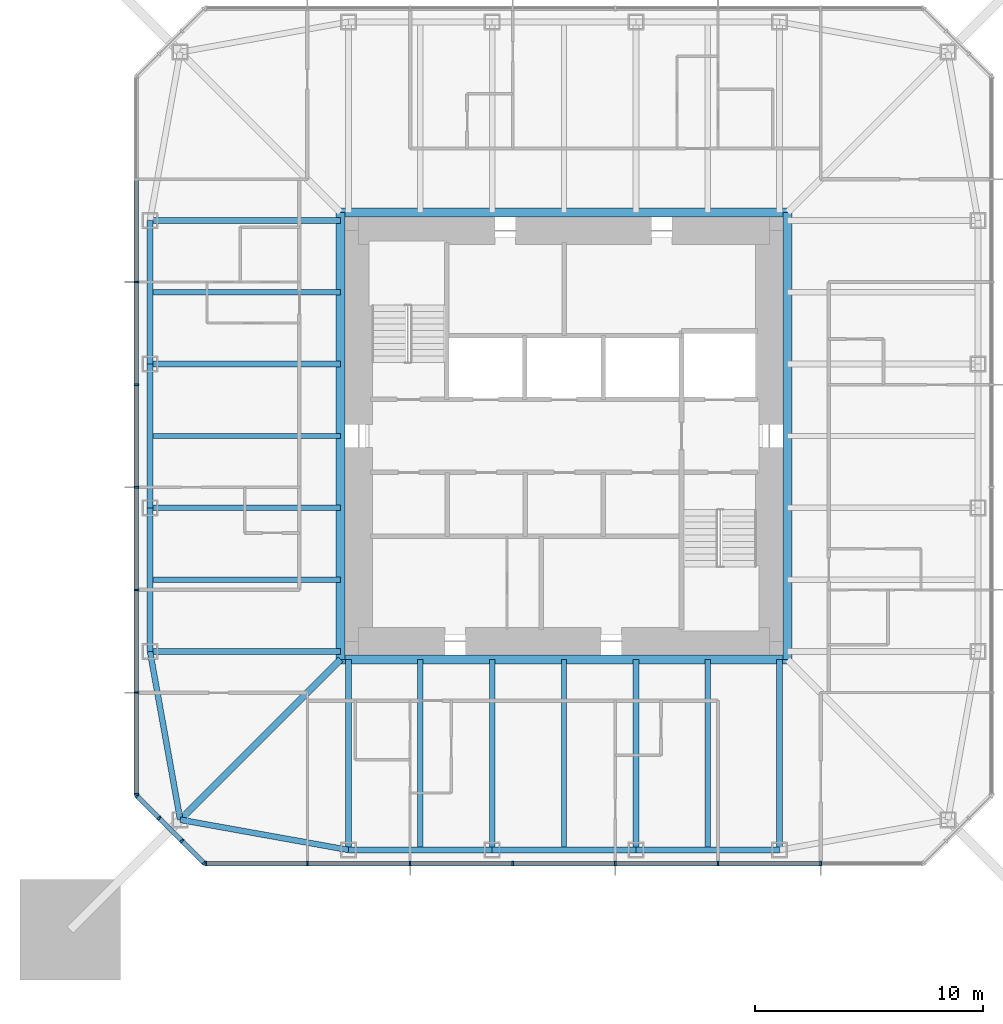
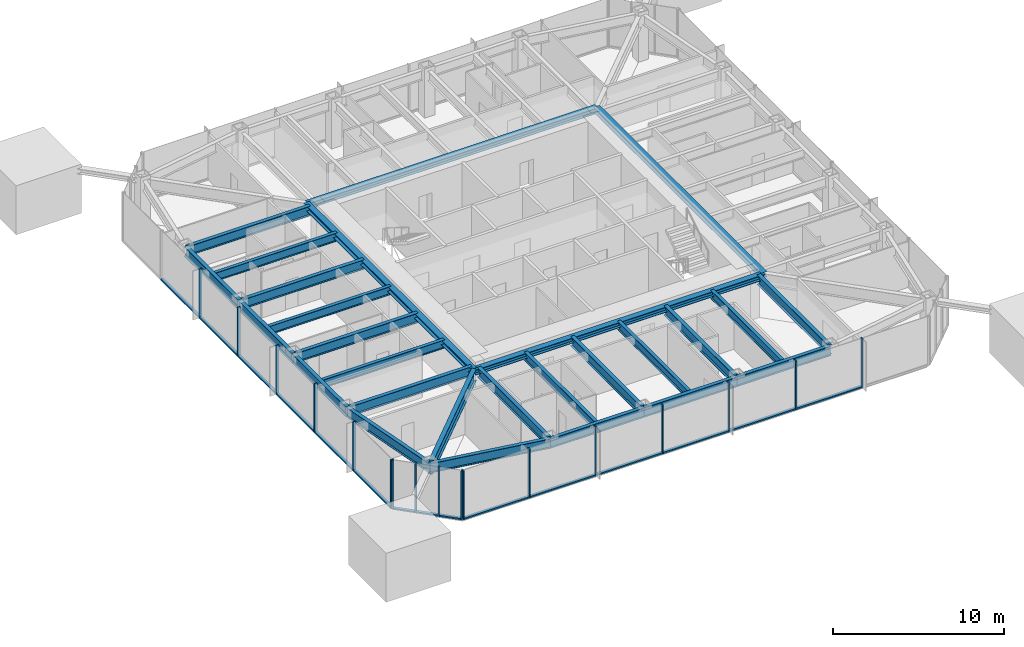
# One storey, part 2 of 11: 32 members, 27 beams, 3 elements without a shape of their own.
"""IFC4 building model written with IfcOpenShell, lengths in metres."""

from ifc_helpers import new_model, si_unit, direction, frame, origin, origin_2d, place, context, subcontext, project, spatial, rectangle, i_section, extrude, material, material_profile, profile_set, type_object, element, aggregate, save


model = new_model("IFC4")

# Units and contexts
model_context = context("Model", 3, precision=1e-05, world=origin(), true_north=direction((0.0, 1.0)))
body_context = subcontext(model_context, "Body", "Model", "MODEL_VIEW")
ifc_project = project(units=[si_unit("LENGTHUNIT", "METRE"), si_unit("AREAUNIT", "SQUARE_METRE"), si_unit("VOLUMEUNIT", "CUBIC_METRE"), si_unit("PLANEANGLEUNIT", "RADIAN"), si_unit("MASSUNIT", "GRAM", prefix="KILO")], contexts=[model_context])

# Site, building, storey
site_placement = place(None, origin())
site = spatial("IfcSite", under=ifc_project, at=site_placement, CompositionType="ELEMENT")
building_placement = place(site_placement, origin())
building = spatial("IfcBuilding", under=site, at=building_placement, Name="Iwan Alto Co-Living Towers", CompositionType="ELEMENT")
storey_placement = place(building_placement, frame((0.0, 0.0, 177.5)))
storey = spatial("IfcBuildingStorey", under=building, at=storey_placement, Name="L48", CompositionType="ELEMENT", Elevation=177.5)

# Curtain wall, members
ifc_material_1 = material(Name="Bronze aluminium unitised frame", Category="aluminium")
curtain_wall_type_1 = type_object("IfcCurtainWallType", Name="CURTAIN WALL CW-A", PredefinedType="NOTDEFINED", material=ifc_material_1)
curtain_wall_1_placement = place(storey_placement, origin())
curtain_wall_1 = element("IfcCurtainWall", 1, at=curtain_wall_1_placement, inside=storey, type_object=curtain_wall_type_1, Name="T1 curtain wall S L48", PredefinedType="NOTDEFINED")
ifc_material_2 = material(Name="Aluminium 6063-T6 bronze anodised", Category="aluminium")
ifc_material_profile_1 = material_profile(ifc_material_2, rectangle(XDim=0.199951171875, YDim=0.080078125, at=origin_2d()), Name="AL 80X200")
ifc_profile_set_1 = profile_set([ifc_material_profile_1], Name="Aluminium 6063-T6 bronze anodised")
member_type_1 = type_object("IfcMemberType", Name="CW-A MULLION 80X200", PredefinedType="MULLION", material=ifc_profile_set_1)
member_1_placement = place(storey_placement, frame((-15.7099609375, -18.75, 0.0), z_axis=(0.0, 0.0, 1.0), x_axis=(0.0, 1.0, 0.0)))
member_1 = element("IfcMember", 2, at=member_1_placement, type_object=member_type_1, Name="CW-A mullion 1", PredefinedType="MULLION", context=body_context, shape_type="SweptSolid", body=[
    extrude(rectangle(XDim=0.199951171875, YDim=0.080078125, at=origin_2d()), origin(), (0.0, 0.0, 1.0), 3.5),
])
member_2_placement = place(storey_placement, frame((-11.25, -18.75, 0.0), z_axis=(0.0, 0.0, 1.0), x_axis=(0.0, 1.0, 0.0)))
member_2 = element("IfcMember", 3, at=member_2_placement, type_object=member_type_1, Name="CW-A mullion 2", PredefinedType="MULLION", context=body_context, shape_type="SweptSolid", body=[
    extrude(rectangle(XDim=0.199951171875, YDim=0.080078125, at=origin_2d()), origin(), (0.0, 0.0, 1.0), 3.5),
])
member_3_placement = place(storey_placement, frame((-6.75, -18.75, 0.0), z_axis=(0.0, 0.0, 1.0), x_axis=(0.0, 1.0, 0.0)))
member_3 = element("IfcMember", 4, at=member_3_placement, type_object=member_type_1, Name="CW-A mullion 3", PredefinedType="MULLION", context=body_context, shape_type="SweptSolid", body=[
    extrude(rectangle(XDim=0.199951171875, YDim=0.080078125, at=origin_2d()), origin(), (0.0, 0.0, 1.0), 3.5),
])
member_4_placement = place(storey_placement, frame((-2.25, -18.75, 0.0), z_axis=(0.0, 0.0, 1.0), x_axis=(0.0, 1.0, 0.0)))
member_4 = element("IfcMember", 5, at=member_4_placement, type_object=member_type_1, Name="CW-A mullion 4", PredefinedType="MULLION", context=body_context, shape_type="SweptSolid", body=[
    extrude(rectangle(XDim=0.199951171875, YDim=0.080078125, at=origin_2d()), origin(), (0.0, 0.0, 1.0), 3.5),
])
member_5_placement = place(storey_placement, frame((2.25, -18.75, 0.0), z_axis=(0.0, 0.0, 1.0), x_axis=(0.0, 1.0, 0.0)))
member_5 = element("IfcMember", 6, at=member_5_placement, type_object=member_type_1, Name="CW-A mullion 5", PredefinedType="MULLION", context=body_context, shape_type="SweptSolid", body=[
    extrude(rectangle(XDim=0.199951171875, YDim=0.080078125, at=origin_2d()), origin(), (0.0, 0.0, 1.0), 3.5),
])
member_6_placement = place(storey_placement, frame((6.75, -18.75, 0.0), z_axis=(0.0, 0.0, 1.0), x_axis=(0.0, 1.0, 0.0)))
member_6 = element("IfcMember", 7, at=member_6_placement, type_object=member_type_1, Name="CW-A mullion 6", PredefinedType="MULLION", context=body_context, shape_type="SweptSolid", body=[
    extrude(rectangle(XDim=0.199951171875, YDim=0.080078125, at=origin_2d()), origin(), (0.0, 0.0, 1.0), 3.5),
])
member_7_placement = place(storey_placement, frame((11.25, -18.75, 0.0), z_axis=(0.0, 0.0, 1.0), x_axis=(0.0, 1.0, 0.0)))
member_7 = element("IfcMember", 8, at=member_7_placement, type_object=member_type_1, Name="CW-A mullion 7", PredefinedType="MULLION", context=body_context, shape_type="SweptSolid", body=[
    extrude(rectangle(XDim=0.199951171875, YDim=0.080078125, at=origin_2d()), origin(), (0.0, 0.0, 1.0), 3.5),
])

curtain_wall_2_placement = place(storey_placement, origin())
curtain_wall_2 = element("IfcCurtainWall", 9, at=curtain_wall_2_placement, inside=storey, type_object=curtain_wall_type_1, Name="T1 curtain wall W L48", PredefinedType="NOTDEFINED")
member_8_placement = place(storey_placement, frame((-18.75, 6.75, 0.0), z_axis=(0.0, 0.0, 1.0), x_axis=(1.0, 0.0, 0.0)))
member_8 = element("IfcMember", 10, at=member_8_placement, type_object=member_type_1, Name="CW-A mullion 3", PredefinedType="MULLION", context=body_context, shape_type="SweptSolid", body=[
    extrude(rectangle(XDim=0.199951171875, YDim=0.080078125, at=origin_2d()), origin(), (0.0, 0.0, 1.0), 3.5),
])
member_9_placement = place(storey_placement, frame((-18.75, 2.25, 0.0), z_axis=(0.0, 0.0, 1.0), x_axis=(1.0, 0.0, 0.0)))
member_9 = element("IfcMember", 11, at=member_9_placement, type_object=member_type_1, Name="CW-A mullion 4", PredefinedType="MULLION", context=body_context, shape_type="SweptSolid", body=[
    extrude(rectangle(XDim=0.199951171875, YDim=0.080078125, at=origin_2d()), origin(), (0.0, 0.0, 1.0), 3.5),
])
member_10_placement = place(storey_placement, frame((-18.75, -2.25, 0.0), z_axis=(0.0, 0.0, 1.0), x_axis=(1.0, 0.0, 0.0)))
member_10 = element("IfcMember", 12, at=member_10_placement, type_object=member_type_1, Name="CW-A mullion 5", PredefinedType="MULLION", context=body_context, shape_type="SweptSolid", body=[
    extrude(rectangle(XDim=0.199951171875, YDim=0.080078125, at=origin_2d()), origin(), (0.0, 0.0, 1.0), 3.5),
])
member_11_placement = place(storey_placement, frame((-18.75, -6.75, 0.0), z_axis=(0.0, 0.0, 1.0), x_axis=(1.0, 0.0, 0.0)))
member_11 = element("IfcMember", 13, at=member_11_placement, type_object=member_type_1, Name="CW-A mullion 6", PredefinedType="MULLION", context=body_context, shape_type="SweptSolid", body=[
    extrude(rectangle(XDim=0.199951171875, YDim=0.080078125, at=origin_2d()), origin(), (0.0, 0.0, 1.0), 3.5),
])
member_12_placement = place(storey_placement, frame((-18.75, -11.25, 0.0), z_axis=(0.0, 0.0, 1.0), x_axis=(1.0, 0.0, 0.0)))
member_12 = element("IfcMember", 14, at=member_12_placement, type_object=member_type_1, Name="CW-A mullion 7", PredefinedType="MULLION", context=body_context, shape_type="SweptSolid", body=[
    extrude(rectangle(XDim=0.199951171875, YDim=0.080078125, at=origin_2d()), origin(), (0.0, 0.0, 1.0), 3.5),
])
member_13_placement = place(storey_placement, frame((-18.75, -15.7099609375, 0.0), z_axis=(0.0, 0.0, 1.0), x_axis=(1.0, 0.0, 0.0)))
member_13 = element("IfcMember", 15, at=member_13_placement, type_object=member_type_1, Name="CW-A mullion 8", PredefinedType="MULLION", context=body_context, shape_type="SweptSolid", body=[
    extrude(rectangle(XDim=0.199951171875, YDim=0.080078125, at=origin_2d()), origin(), (0.0, 0.0, 1.0), 3.5),
])

# Member
ifc_material_3 = material(Name="Aluminium 6063-T6 bronze anodised", Category="aluminium")
ifc_material_profile_2 = material_profile(ifc_material_3, rectangle(XDim=0.199951171875, YDim=0.10009765625, at=origin_2d()), Name="AL 200X100")
ifc_profile_set_2 = profile_set([ifc_material_profile_2], Name="Aluminium 6063-T6 bronze anodised")
member_type_2 = type_object("IfcMemberType", Name="CW-A TRANSOM 200X100", PredefinedType="USERDEFINED", material=ifc_profile_set_2)
member_14_placement = place(storey_placement, frame((-15.669921875, -18.75, 0.050048828125), z_axis=(1.0, 0.0, 0.0), x_axis=(0.0, 1.0, 0.0)))
member_14 = element("IfcMember", 16, at=member_14_placement, type_object=member_type_2, Name="CW-A transom 1.1", ObjectType="TRANSOM", PredefinedType="USERDEFINED", context=body_context, shape_type="SweptSolid", body=[
    extrude(rectangle(XDim=0.199951171875, YDim=0.10009765625, at=origin_2d()), origin(), (0.0, 0.0, 1.0), 4.3798828125),
])

member_15_placement = place(storey_placement, frame((-11.2099609375, -18.75, 0.050048828125), z_axis=(1.0, 0.0, 0.0), x_axis=(0.0, 1.0, 0.0)))
member_15 = element("IfcMember", 17, at=member_15_placement, type_object=member_type_2, Name="CW-A transom 2.1", ObjectType="TRANSOM", PredefinedType="USERDEFINED", context=body_context, shape_type="SweptSolid", body=[
    extrude(rectangle(XDim=0.199951171875, YDim=0.10009765625, at=origin_2d()), origin(), (0.0, 0.0, 1.0), 4.419921875),
])

member_16_placement = place(storey_placement, frame((-6.7099609375, -18.75, 0.050048828125), z_axis=(1.0, 0.0, 0.0), x_axis=(0.0, 1.0, 0.0)))
member_16 = element("IfcMember", 18, at=member_16_placement, type_object=member_type_2, Name="CW-A transom 3.1", ObjectType="TRANSOM", PredefinedType="USERDEFINED", context=body_context, shape_type="SweptSolid", body=[
    extrude(rectangle(XDim=0.199951171875, YDim=0.10009765625, at=origin_2d()), origin(), (0.0, 0.0, 1.0), 4.419921875),
])

member_17_placement = place(storey_placement, frame((-2.2099609375, -18.75, 0.050048828125), z_axis=(1.0, 0.0, 0.0), x_axis=(0.0, 1.0, 0.0)))
member_17 = element("IfcMember", 19, at=member_17_placement, type_object=member_type_2, Name="CW-A transom 4.1", ObjectType="TRANSOM", PredefinedType="USERDEFINED", context=body_context, shape_type="SweptSolid", body=[
    extrude(rectangle(XDim=0.199951171875, YDim=0.10009765625, at=origin_2d()), origin(), (0.0, 0.0, 1.0), 4.419921875),
])

member_18_placement = place(storey_placement, frame((2.2900390625, -18.75, 0.050048828125), z_axis=(1.0, 0.0, 0.0), x_axis=(0.0, 1.0, 0.0)))
member_18 = element("IfcMember", 20, at=member_18_placement, type_object=member_type_2, Name="CW-A transom 5.1", ObjectType="TRANSOM", PredefinedType="USERDEFINED", context=body_context, shape_type="SweptSolid", body=[
    extrude(rectangle(XDim=0.199951171875, YDim=0.10009765625, at=origin_2d()), origin(), (0.0, 0.0, 1.0), 4.419921875),
])

member_19_placement = place(storey_placement, frame((6.7900390625, -18.75, 0.050048828125), z_axis=(1.0, 0.0, 0.0), x_axis=(0.0, 1.0, 0.0)))
member_19 = element("IfcMember", 21, at=member_19_placement, type_object=member_type_2, Name="CW-A transom 6.1", ObjectType="TRANSOM", PredefinedType="USERDEFINED", context=body_context, shape_type="SweptSolid", body=[
    extrude(rectangle(XDim=0.199951171875, YDim=0.10009765625, at=origin_2d()), origin(), (0.0, 0.0, 1.0), 4.419921875),
])

aggregate(curtain_wall_1, [member_1, member_2, member_3, member_4, member_5, member_6, member_7, member_14, member_15, member_16, member_17, member_18, member_19])

member_20_placement = place(storey_placement, frame((-18.75, 11.2099609375, 0.050048828125), z_axis=(0.0, -1.0, 0.0), x_axis=(1.0, 0.0, 0.0)))
member_20 = element("IfcMember", 22, at=member_20_placement, type_object=member_type_2, Name="CW-A transom 2.1", ObjectType="TRANSOM", PredefinedType="USERDEFINED", context=body_context, shape_type="SweptSolid", body=[
    extrude(rectangle(XDim=0.199951171875, YDim=0.10009765625, at=origin_2d()), origin(), (0.0, 0.0, 1.0), 4.419921875),
])

member_21_placement = place(storey_placement, frame((-18.75, 6.7099609375, 0.050048828125), z_axis=(0.0, -1.0, 0.0), x_axis=(1.0, 0.0, 0.0)))
member_21 = element("IfcMember", 23, at=member_21_placement, type_object=member_type_2, Name="CW-A transom 3.1", ObjectType="TRANSOM", PredefinedType="USERDEFINED", context=body_context, shape_type="SweptSolid", body=[
    extrude(rectangle(XDim=0.199951171875, YDim=0.10009765625, at=origin_2d()), origin(), (0.0, 0.0, 1.0), 4.419921875),
])

member_22_placement = place(storey_placement, frame((-18.75, 2.2099609375, 0.050048828125), z_axis=(0.0, -1.0, 0.0), x_axis=(1.0, 0.0, 0.0)))
member_22 = element("IfcMember", 24, at=member_22_placement, type_object=member_type_2, Name="CW-A transom 4.1", ObjectType="TRANSOM", PredefinedType="USERDEFINED", context=body_context, shape_type="SweptSolid", body=[
    extrude(rectangle(XDim=0.199951171875, YDim=0.10009765625, at=origin_2d()), origin(), (0.0, 0.0, 1.0), 4.419921875),
])

member_23_placement = place(storey_placement, frame((-18.75, -2.2900390625, 0.050048828125), z_axis=(0.0, -1.0, 0.0), x_axis=(1.0, 0.0, 0.0)))
member_23 = element("IfcMember", 25, at=member_23_placement, type_object=member_type_2, Name="CW-A transom 5.1", ObjectType="TRANSOM", PredefinedType="USERDEFINED", context=body_context, shape_type="SweptSolid", body=[
    extrude(rectangle(XDim=0.199951171875, YDim=0.10009765625, at=origin_2d()), origin(), (0.0, 0.0, 1.0), 4.419921875),
])

member_24_placement = place(storey_placement, frame((-18.75, -6.7900390625, 0.050048828125), z_axis=(0.0, -1.0, 0.0), x_axis=(1.0, 0.0, 0.0)))
member_24 = element("IfcMember", 26, at=member_24_placement, type_object=member_type_2, Name="CW-A transom 6.1", ObjectType="TRANSOM", PredefinedType="USERDEFINED", context=body_context, shape_type="SweptSolid", body=[
    extrude(rectangle(XDim=0.199951171875, YDim=0.10009765625, at=origin_2d()), origin(), (0.0, 0.0, 1.0), 4.419921875),
])

member_25_placement = place(storey_placement, frame((-18.75, -11.2900390625, 0.050048828125), z_axis=(0.0, -1.0, 0.0), x_axis=(1.0, 0.0, 0.0)))
member_25 = element("IfcMember", 27, at=member_25_placement, type_object=member_type_2, Name="CW-A transom 7.1", ObjectType="TRANSOM", PredefinedType="USERDEFINED", context=body_context, shape_type="SweptSolid", body=[
    extrude(rectangle(XDim=0.199951171875, YDim=0.10009765625, at=origin_2d()), origin(), (0.0, 0.0, 1.0), 4.3798828125),
])

aggregate(curtain_wall_2, [member_8, member_9, member_10, member_11, member_12, member_13, member_20, member_21, member_22, member_23, member_24, member_25])

# Curtain wall, members
ifc_material_4 = material(Name="Bronze aluminium unitised frame", Category="aluminium")
curtain_wall_type_2 = type_object("IfcCurtainWallType", Name="CURTAIN WALL CW-B", PredefinedType="NOTDEFINED", material=ifc_material_4)
curtain_wall_3_placement = place(storey_placement, origin())
curtain_wall_3 = element("IfcCurtainWall", 28, at=curtain_wall_3_placement, inside=storey, type_object=curtain_wall_type_2, Name="T1 chamfer curtain wall SW L48", PredefinedType="NOTDEFINED")
ifc_material_5 = material(Name="Aluminium 6063-T6 bronze anodised", Category="aluminium")
ifc_material_profile_3 = material_profile(ifc_material_5, rectangle(XDim=0.199951171875, YDim=0.080078125, at=origin_2d()), Name="AL 80X200")
ifc_profile_set_3 = profile_set([ifc_material_profile_3], Name="Aluminium 6063-T6 bronze anodised")
member_type_3 = type_object("IfcMemberType", Name="CW-B MULLION 80X200", PredefinedType="MULLION", material=ifc_profile_set_3)
member_26_placement = place(storey_placement, frame((-18.7216796875, -15.7783203125, 0.0), z_axis=(0.0, 0.0, 1.0), x_axis=(0.707106781187, 0.707106781187, 0.0)))
member_26 = element("IfcMember", 29, at=member_26_placement, type_object=member_type_3, Name="CW-B mullion 1", PredefinedType="MULLION", context=body_context, shape_type="SweptSolid", body=[
    extrude(rectangle(XDim=0.199951171875, YDim=0.080078125, at=origin_2d()), origin(), (0.0, 0.0, 1.0), 3.5),
])
member_27_placement = place(storey_placement, frame((-17.75, -16.75, 0.0), z_axis=(0.0, 0.0, 1.0), x_axis=(0.707106781187, 0.707106781187, 0.0)))
member_27 = element("IfcMember", 30, at=member_27_placement, type_object=member_type_3, Name="CW-B mullion 2", PredefinedType="MULLION", context=body_context, shape_type="SweptSolid", body=[
    extrude(rectangle(XDim=0.199951171875, YDim=0.080078125, at=origin_2d()), origin(), (0.0, 0.0, 1.0), 3.5),
])
member_28_placement = place(storey_placement, frame((-16.75, -17.75, 0.0), z_axis=(0.0, 0.0, 1.0), x_axis=(0.707106781187, 0.707106781187, 0.0)))
member_28 = element("IfcMember", 31, at=member_28_placement, type_object=member_type_3, Name="CW-B mullion 3", PredefinedType="MULLION", context=body_context, shape_type="SweptSolid", body=[
    extrude(rectangle(XDim=0.199951171875, YDim=0.080078125, at=origin_2d()), origin(), (0.0, 0.0, 1.0), 3.5),
])
member_29_placement = place(storey_placement, frame((-15.7783203125, -18.7216796875, 0.0), z_axis=(0.0, 0.0, 1.0), x_axis=(0.707106781187, 0.707106781187, 0.0)))
member_29 = element("IfcMember", 32, at=member_29_placement, type_object=member_type_3, Name="CW-B mullion 4", PredefinedType="MULLION", context=body_context, shape_type="SweptSolid", body=[
    extrude(rectangle(XDim=0.199951171875, YDim=0.080078125, at=origin_2d()), origin(), (0.0, 0.0, 1.0), 3.5),
])
ifc_material_6 = material(Name="Aluminium 6063-T6 bronze anodised", Category="aluminium")
ifc_material_profile_4 = material_profile(ifc_material_6, rectangle(XDim=0.199951171875, YDim=0.10009765625, at=origin_2d()), Name="AL 200X100")
ifc_profile_set_4 = profile_set([ifc_material_profile_4], Name="Aluminium 6063-T6 bronze anodised")
member_type_4 = type_object("IfcMemberType", Name="CW-B TRANSOM 200X100", PredefinedType="USERDEFINED", material=ifc_profile_set_4)
member_30_placement = place(storey_placement, frame((-18.693359375, -15.806640625, 0.050048828125), z_axis=(0.707106781187, -0.707106781187, 0.0), x_axis=(0.707106781187, 0.707106781187, 0.0)))
member_30 = element("IfcMember", 33, at=member_30_placement, type_object=member_type_4, Name="CW-B transom 1.1", ObjectType="TRANSOM", PredefinedType="USERDEFINED", context=body_context, shape_type="SweptSolid", body=[
    extrude(rectangle(XDim=0.199951171875, YDim=0.10009765625, at=origin_2d()), origin(), (0.0, 0.0, 1.0), 1.2939453125),
])
member_31_placement = place(storey_placement, frame((-17.7216796875, -16.7783203125, 0.050048828125), z_axis=(0.707106781187, -0.707106781187, 0.0), x_axis=(0.707106781187, 0.707106781187, 0.0)))
member_31 = element("IfcMember", 34, at=member_31_placement, type_object=member_type_4, Name="CW-B transom 2.1", ObjectType="TRANSOM", PredefinedType="USERDEFINED", context=body_context, shape_type="SweptSolid", body=[
    extrude(rectangle(XDim=0.199951171875, YDim=0.10009765625, at=origin_2d()), origin(), (0.0, 0.0, 1.0), 1.334228515625),
])
member_32_placement = place(storey_placement, frame((-16.7216796875, -17.7783203125, 0.050048828125), z_axis=(0.707106781187, -0.707106781187, 0.0), x_axis=(0.707106781187, 0.707106781187, 0.0)))
member_32 = element("IfcMember", 35, at=member_32_placement, type_object=member_type_4, Name="CW-B transom 3.1", ObjectType="TRANSOM", PredefinedType="USERDEFINED", context=body_context, shape_type="SweptSolid", body=[
    extrude(rectangle(XDim=0.199951171875, YDim=0.10009765625, at=origin_2d()), origin(), (0.0, 0.0, 1.0), 1.2939453125),
])
aggregate(curtain_wall_3, [member_26, member_27, member_28, member_29, member_30, member_31, member_32])

# Beams
ifc_material_7 = material(Name="Steel ASTM A992 Gr 50", Category="steel")
ifc_material_profile_5 = material_profile(ifc_material_7, i_section(OverallWidth=0.398681640625, OverallDepth=0.385986328125, WebThickness=0.02099609375, FlangeThickness=0.033203125, at=origin_2d()), Name="W14X176")
ifc_profile_set_5 = profile_set([ifc_material_profile_5], Name="Steel ASTM A992 Gr 50")
beam_type_1 = type_object("IfcBeamType", Name="T1 CORE LEDGER BEAM W14X176", PredefinedType="BEAM", material=ifc_profile_set_5)
for number, where, z_axis, x_axis, name in (
    (36, (-9.79931640625, -9.79931640625, 3.076904296875), (1.0, 0.0, 0.0), (0.0, 1.0, 0.0), "T1 core ledger beam S L49"),
    (37, (9.79931640625, -9.79931640625, 3.076904296875), (0.0, 1.0, 0.0), (-1.0, 0.0, 0.0), "T1 core ledger beam E L49"),
    (38, (9.79931640625, 9.79931640625, 3.076904296875), (-1.0, 0.0, 0.0), (0.0, -1.0, 0.0), "T1 core ledger beam N L49"),
    (39, (-9.79931640625, 9.79931640625, 3.076904296875), (0.0, -1.0, 0.0), (1.0, 0.0, 0.0), "T1 core ledger beam W L49"),
):
    element("IfcBeam", number, at=place(storey_placement, frame(where, z_axis=z_axis, x_axis=x_axis)), inside=storey, type_object=beam_type_1, Name=name, PredefinedType="BEAM", context=body_context, shape_type="SweptSolid", body=[
        extrude(i_section(OverallWidth=0.398681640625, OverallDepth=0.385986328125, WebThickness=0.02099609375, FlangeThickness=0.033203125, at=origin_2d()), origin(), (0.0, 0.0, 1.0), 19.5986328125),
    ])
ifc_material_8 = material(Name="Steel ASTM A992 Gr 50", Category="steel")
ifc_material_profile_6 = material_profile(ifc_material_8, i_section(OverallWidth=0.2919921875, OverallDepth=0.8408203125, WebThickness=0.0146484375, FlangeThickness=0.021728515625, at=origin_2d()), Name="W33X130")
ifc_profile_set_6 = profile_set([ifc_material_profile_6], Name="Steel ASTM A992 Gr 50")
beam_type_2 = type_object("IfcBeamType", Name="T1 CORNER GIRDER W33X130", PredefinedType="BEAM", material=ifc_profile_set_6)
beam_1_placement = place(storey_placement, frame((-16.82568359375, -16.82568359375, 2.849609375), z_axis=(0.707106781187, 0.707106781187, 0.0), x_axis=(-0.707106781187, 0.707106781187, 0.0)))
element("IfcBeam", 40, at=beam_1_placement, inside=storey, type_object=beam_type_2, Name="T1 corner girder CSW L49", PredefinedType="BEAM", context=body_context, shape_type="SweptSolid", body=[
    extrude(i_section(OverallWidth=0.2919921875, OverallDepth=0.8408203125, WebThickness=0.0146484375, FlangeThickness=0.021728515625, at=origin_2d()), origin(), (0.0, 0.0, 1.0), 9.936767578125),
])
ifc_material_9 = material(Name="Steel ASTM A992 Gr 50", Category="steel")
ifc_material_profile_7 = material_profile(ifc_material_9, i_section(OverallWidth=0.25390625, OverallDepth=0.683349609375, WebThickness=0.012451171875, FlangeThickness=0.018798828125, at=origin_2d()), Name="W27X94")
ifc_profile_set_7 = profile_set([ifc_material_profile_7], Name="Steel ASTM A992 Gr 50")
beam_type_3 = type_object("IfcBeamType", Name="T1 EDGE BEAM W27X94", PredefinedType="BEAM", material=ifc_profile_set_7)
beam_2_placement = place(storey_placement, frame((-16.82568359375, -16.82568359375, 2.928466796875), z_axis=(0.98426263553, -0.17671181143, 0.0), x_axis=(0.17671181143, 0.98426263553, 0.0)))
element("IfcBeam", 41, at=beam_2_placement, inside=storey, type_object=beam_type_3, Name="T1 edge beam CSW L49", PredefinedType="BEAM", context=body_context, shape_type="SweptSolid", body=[
    extrude(i_section(OverallWidth=0.25390625, OverallDepth=0.683349609375, WebThickness=0.012451171875, FlangeThickness=0.018798828125, at=origin_2d()), origin(), (0.0, 0.0, 1.0), 7.49365234375),
])
beam_3_placement = place(storey_placement, frame((-9.449951171875, -18.14990234375, 2.928466796875), z_axis=(1.0, 0.0, 0.0), x_axis=(0.0, 1.0, 0.0)))
element("IfcBeam", 42, at=beam_3_placement, inside=storey, type_object=beam_type_3, Name="T1 edge beam S1 L49", PredefinedType="BEAM", context=body_context, shape_type="SweptSolid", body=[
    extrude(i_section(OverallWidth=0.25390625, OverallDepth=0.683349609375, WebThickness=0.012451171875, FlangeThickness=0.018798828125, at=origin_2d()), origin(), (0.0, 0.0, 1.0), 6.300048828125),
])
beam_4_placement = place(storey_placement, frame((-3.14990234375, -18.14990234375, 2.928466796875), z_axis=(1.0, 0.0, 0.0), x_axis=(0.0, 1.0, 0.0)))
element("IfcBeam", 43, at=beam_4_placement, inside=storey, type_object=beam_type_3, Name="T1 edge beam S2 L49", PredefinedType="BEAM", context=body_context, shape_type="SweptSolid", body=[
    extrude(i_section(OverallWidth=0.25390625, OverallDepth=0.683349609375, WebThickness=0.012451171875, FlangeThickness=0.018798828125, at=origin_2d()), origin(), (0.0, 0.0, 1.0), 6.2998046875),
])
for number, where, z_axis, x_axis, name in (
    (44, (3.14990234375, -18.14990234375, 2.928466796875), (1.0, 0.0, 0.0), (0.0, 1.0, 0.0), "T1 edge beam S3 L49"),
    (45, (-18.14990234375, 9.449951171875, 2.928466796875), (0.0, -1.0, 0.0), (1.0, 0.0, 0.0), "T1 edge beam W1 L49"),
):
    element("IfcBeam", number, at=place(storey_placement, frame(where, z_axis=z_axis, x_axis=x_axis)), inside=storey, type_object=beam_type_3, Name=name, PredefinedType="BEAM", context=body_context, shape_type="SweptSolid", body=[
        extrude(i_section(OverallWidth=0.25390625, OverallDepth=0.683349609375, WebThickness=0.012451171875, FlangeThickness=0.018798828125, at=origin_2d()), origin(), (0.0, 0.0, 1.0), 6.300048828125),
    ])
beam_5_placement = place(storey_placement, frame((-18.14990234375, 3.14990234375, 2.928466796875), z_axis=(0.0, -1.0, 0.0), x_axis=(1.0, 0.0, 0.0)))
element("IfcBeam", 46, at=beam_5_placement, inside=storey, type_object=beam_type_3, Name="T1 edge beam W2 L49", PredefinedType="BEAM", context=body_context, shape_type="SweptSolid", body=[
    extrude(i_section(OverallWidth=0.25390625, OverallDepth=0.683349609375, WebThickness=0.012451171875, FlangeThickness=0.018798828125, at=origin_2d()), origin(), (0.0, 0.0, 1.0), 6.2998046875),
])
beam_6_placement = place(storey_placement, frame((-18.14990234375, -3.14990234375, 2.928466796875), z_axis=(0.0, -1.0, 0.0), x_axis=(1.0, 0.0, 0.0)))
element("IfcBeam", 47, at=beam_6_placement, inside=storey, type_object=beam_type_3, Name="T1 edge beam W3 L49", PredefinedType="BEAM", context=body_context, shape_type="SweptSolid", body=[
    extrude(i_section(OverallWidth=0.25390625, OverallDepth=0.683349609375, WebThickness=0.012451171875, FlangeThickness=0.018798828125, at=origin_2d()), origin(), (0.0, 0.0, 1.0), 6.300048828125),
])
beam_7_placement = place(storey_placement, frame((-18.14990234375, -9.449951171875, 2.928466796875), z_axis=(0.17671181143, -0.98426263553, 0.0), x_axis=(0.98426263553, 0.17671181143, 0.0)))
element("IfcBeam", 48, at=beam_7_placement, inside=storey, type_object=beam_type_3, Name="T1 edge beam W4 L49", PredefinedType="BEAM", context=body_context, shape_type="SweptSolid", body=[
    extrude(i_section(OverallWidth=0.25390625, OverallDepth=0.683349609375, WebThickness=0.012451171875, FlangeThickness=0.018798828125, at=origin_2d()), origin(), (0.0, 0.0, 1.0), 7.49365234375),
])
ifc_material_10 = material(Name="Steel ASTM A992 Gr 50", Category="steel")
ifc_material_profile_8 = material_profile(ifc_material_10, i_section(OverallWidth=0.25390625, OverallDepth=0.683349609375, WebThickness=0.012451171875, FlangeThickness=0.018798828125, at=origin_2d()), Name="W27X94")
ifc_profile_set_8 = profile_set([ifc_material_profile_8], Name="Steel ASTM A992 Gr 50")
beam_type_4 = type_object("IfcBeamType", Name="T1 RADIAL BEAM W27X94", PredefinedType="BEAM", material=ifc_profile_set_8)
for number, where, z_axis, x_axis, name in (
    (49, (-9.449951171875, -18.14990234375, 2.928466796875), (0.0, 1.0, 0.0), (-1.0, 0.0, 0.0), "T1 radial beam S1 L49"),
    (50, (-3.14990234375, -18.14990234375, 2.928466796875), (0.0, 1.0, 0.0), (-1.0, 0.0, 0.0), "T1 radial beam S2 L49"),
    (51, (3.14990234375, -18.14990234375, 2.928466796875), (0.0, 1.0, 0.0), (-1.0, 0.0, 0.0), "T1 radial beam S3 L49"),
    (52, (9.449951171875, -18.14990234375, 2.928466796875), (0.0, 1.0, 0.0), (-1.0, 0.0, 0.0), "T1 radial beam S4 L49"),
    (53, (-18.14990234375, 9.449951171875, 2.928466796875), (1.0, 0.0, 0.0), (0.0, 1.0, 0.0), "T1 radial beam W1 L49"),
    (54, (-18.14990234375, 3.14990234375, 2.928466796875), (1.0, 0.0, 0.0), (0.0, 1.0, 0.0), "T1 radial beam W2 L49"),
    (55, (-18.14990234375, -3.14990234375, 2.928466796875), (1.0, 0.0, 0.0), (0.0, 1.0, 0.0), "T1 radial beam W3 L49"),
    (56, (-18.14990234375, -9.449951171875, 2.928466796875), (1.0, 0.0, 0.0), (0.0, 1.0, 0.0), "T1 radial beam W4 L49"),
):
    element("IfcBeam", number, at=place(storey_placement, frame(where, z_axis=z_axis, x_axis=x_axis)), inside=storey, type_object=beam_type_4, Name=name, PredefinedType="BEAM", context=body_context, shape_type="SweptSolid", body=[
        extrude(i_section(OverallWidth=0.25390625, OverallDepth=0.683349609375, WebThickness=0.012451171875, FlangeThickness=0.018798828125, at=origin_2d()), origin(), (0.0, 0.0, 1.0), 8.3505859375),
    ])
ifc_material_11 = material(Name="Steel ASTM A992 Gr 50", Category="steel")
ifc_material_profile_9 = material_profile(ifc_material_11, i_section(OverallWidth=0.228271484375, OverallDepth=0.607177734375, WebThickness=0.01123046875, FlangeThickness=0.017333984375, at=origin_2d()), Name="W24X76")
ifc_profile_set_9 = profile_set([ifc_material_profile_9], Name="Steel ASTM A992 Gr 50")
beam_type_5 = type_object("IfcBeamType", Name="T1 SECONDARY BEAM W24X76", PredefinedType="JOIST", material=ifc_profile_set_9)
for number, where, z_axis, x_axis, name in (
    (57, (-6.300048828125, -18.14990234375, 2.966552734375), (0.0, 1.0, 0.0), (-1.0, 0.0, 0.0), "T1 secondary beam S1 L49"),
    (58, (0.0, -18.14990234375, 2.966552734375), (0.0, 1.0, 0.0), (-1.0, 0.0, 0.0), "T1 secondary beam S2 L49"),
    (59, (6.300048828125, -18.14990234375, 2.966552734375), (0.0, 1.0, 0.0), (-1.0, 0.0, 0.0), "T1 secondary beam S3 L49"),
    (60, (-18.14990234375, 6.300048828125, 2.966552734375), (1.0, 0.0, 0.0), (0.0, 1.0, 0.0), "T1 secondary beam W1 L49"),
    (61, (-18.14990234375, 0.0, 2.966552734375), (1.0, 0.0, 0.0), (0.0, 1.0, 0.0), "T1 secondary beam W2 L49"),
    (62, (-18.14990234375, -6.300048828125, 2.966552734375), (1.0, 0.0, 0.0), (0.0, 1.0, 0.0), "T1 secondary beam W3 L49"),
):
    element("IfcBeam", number, at=place(storey_placement, frame(where, z_axis=z_axis, x_axis=x_axis)), inside=storey, type_object=beam_type_5, Name=name, PredefinedType="JOIST", context=body_context, shape_type="SweptSolid", body=[
        extrude(i_section(OverallWidth=0.228271484375, OverallDepth=0.607177734375, WebThickness=0.01123046875, FlangeThickness=0.017333984375, at=origin_2d()), origin(), (0.0, 0.0, 1.0), 8.3505859375),
    ])

save(model, "model.ifc")
